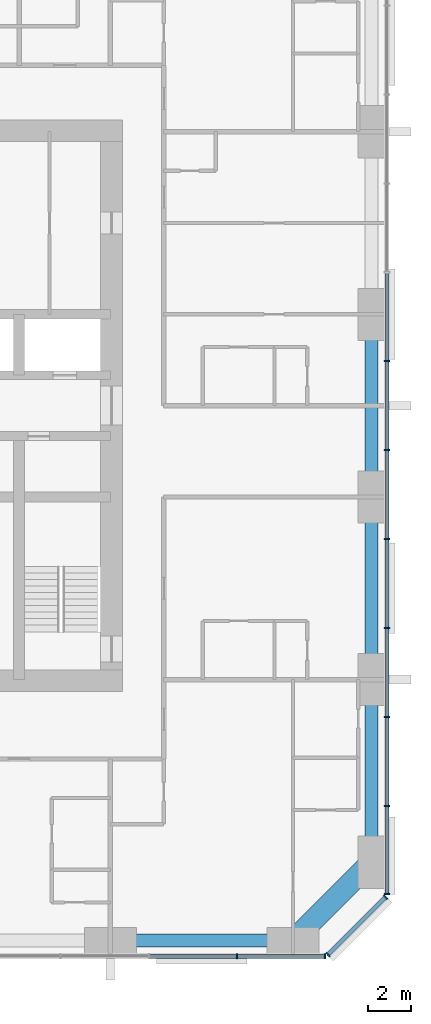
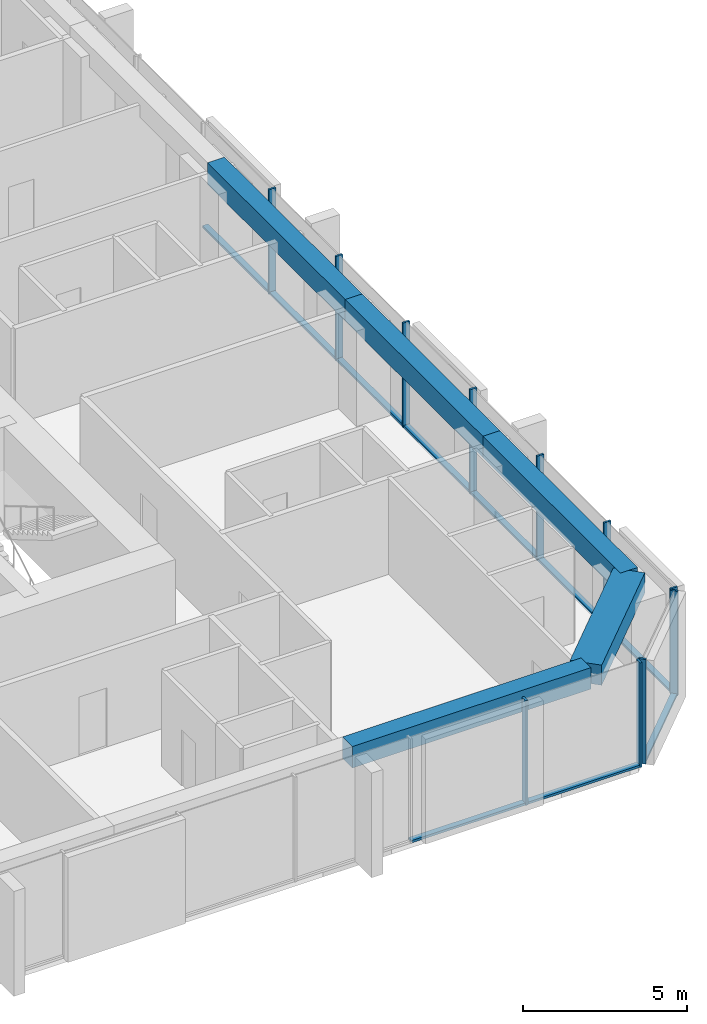
# One storey, part 3 of 12: 21 members, 5 beams, 3 elements without a shape of their own.
"""IFC4 building model written with IfcOpenShell, lengths in metres."""

from ifc_helpers import new_model, si_unit, direction, frame, origin, origin_2d, place, context, subcontext, project, spatial, rectangle, extrude, material, material_profile, profile_set, type_object, element, aggregate, save


model = new_model("IFC4")

# Units and contexts
model_context = context("Model", 3, precision=1e-05, world=origin(), true_north=direction((0.0, 1.0)))
body_context = subcontext(model_context, "Body", "Model", "MODEL_VIEW")
ifc_project = project(units=[si_unit("LENGTHUNIT", "METRE"), si_unit("AREAUNIT", "SQUARE_METRE"), si_unit("VOLUMEUNIT", "CUBIC_METRE"), si_unit("PLANEANGLEUNIT", "RADIAN"), si_unit("MASSUNIT", "GRAM", prefix="KILO")], contexts=[model_context])

# Site, building, storey
site_placement = place(None, origin())
site = spatial("IfcSite", under=ifc_project, at=site_placement, CompositionType="ELEMENT")
building_placement = place(site_placement, origin())
building = spatial("IfcBuilding", under=site, at=building_placement, Name="Dunama Terrace Hotel", CompositionType="ELEMENT")
storey_placement = place(building_placement, frame((0.0, 0.0, 229.5)))
storey = spatial("IfcBuildingStorey", under=building, at=storey_placement, Name="L59", CompositionType="ELEMENT", Elevation=229.5)

# Curtain wall, members
ifc_material_1 = material(Name="Aluminium curtain wall system", Category="aluminium")
curtain_wall_type = type_object("IfcCurtainWallType", Name="Unitised fritted glass wall CW-D", PredefinedType="NOTDEFINED", material=ifc_material_1)
curtain_wall_1_placement = place(storey_placement, origin())
curtain_wall_1 = element("IfcCurtainWall", 1, at=curtain_wall_1_placement, inside=storey, type_object=curtain_wall_type, Name="Unitised fritted glass wall CW-D L59", PredefinedType="NOTDEFINED")
ifc_material_2 = material(Name="Aluminium mullion", Category="aluminium")
ifc_material_profile_1 = material_profile(ifc_material_2, rectangle(XDim=0.070068359375, YDim=0.239990234375, at=origin_2d()), Name="CWD MULLION 70X240")
ifc_profile_set_1 = profile_set([ifc_material_profile_1], Name="Aluminium mullion")
member_type_1 = type_object("IfcMemberType", Name="CWD mullion 70x240", PredefinedType="MULLION", material=ifc_profile_set_1)
member_1_placement = place(storey_placement, frame((47.8330078125, 4.080078125, 0.0), z_axis=(0.0, 0.0, 1.0), x_axis=(1.0, 0.0, 0.0)))
member_1 = element("IfcMember", 2, at=member_1_placement, type_object=member_type_1, Name="CWD mullion", PredefinedType="MULLION", context=body_context, shape_type="SweptSolid", body=[
    extrude(rectangle(XDim=0.070068359375, YDim=0.239990234375, at=origin_2d()), origin(), (0.0, 0.0, 1.0), 3.89990234375),
])
member_2_placement = place(storey_placement, frame((51.864990234375, 4.080078125, 0.0), z_axis=(0.0, 0.0, 1.0), x_axis=(1.0, 0.0, 0.0)))
member_2 = element("IfcMember", 3, at=member_2_placement, type_object=member_type_1, Name="CWD mullion", PredefinedType="MULLION", context=body_context, shape_type="SweptSolid", body=[
    extrude(rectangle(XDim=0.070068359375, YDim=0.239990234375, at=origin_2d()), origin(), (0.0, 0.0, 1.0), 3.89990234375),
])

curtain_wall_2_placement = place(storey_placement, origin())
curtain_wall_2 = element("IfcCurtainWall", 4, at=curtain_wall_2_placement, inside=storey, type_object=curtain_wall_type, Name="Unitised fritted glass wall CW-D L59", PredefinedType="NOTDEFINED")
member_3_placement = place(storey_placement, frame((52.010009765625, 4.139892578125, 0.0), z_axis=(0.0, 0.0, 1.0), x_axis=(0.707106781187, 0.707106781187, 0.0)))
member_3 = element("IfcMember", 5, at=member_3_placement, type_object=member_type_1, Name="CWD mullion", PredefinedType="MULLION", context=body_context, shape_type="SweptSolid", body=[
    extrude(rectangle(XDim=0.070068359375, YDim=0.239990234375, at=origin_2d()), origin(), (0.0, 0.0, 1.0), 3.89990234375),
])
member_4_placement = place(storey_placement, frame((54.659912109375, 6.7900390625, 0.0), z_axis=(0.0, 0.0, 1.0), x_axis=(0.707106781187, 0.707106781187, 0.0)))
member_4 = element("IfcMember", 6, at=member_4_placement, type_object=member_type_1, Name="CWD mullion", PredefinedType="MULLION", context=body_context, shape_type="SweptSolid", body=[
    extrude(rectangle(XDim=0.070068359375, YDim=0.239990234375, at=origin_2d()), origin(), (0.0, 0.0, 1.0), 3.89990234375),
])

curtain_wall_3_placement = place(storey_placement, origin())
curtain_wall_3 = element("IfcCurtainWall", 7, at=curtain_wall_3_placement, inside=storey, type_object=curtain_wall_type, Name="Unitised fritted glass wall CW-D L59", PredefinedType="NOTDEFINED")
member_5_placement = place(storey_placement, frame((54.719970703125, 6.93505859375, 0.0), z_axis=(0.0, 0.0, 1.0), x_axis=(0.0, 1.0, 0.0)))
member_5 = element("IfcMember", 8, at=member_5_placement, type_object=member_type_1, Name="CWD mullion", PredefinedType="MULLION", context=body_context, shape_type="SweptSolid", body=[
    extrude(rectangle(XDim=0.070068359375, YDim=0.239990234375, at=origin_2d()), origin(), (0.0, 0.0, 1.0), 3.89990234375),
])
member_6_placement = place(storey_placement, frame((54.719970703125, 10.990966796875, 0.0), z_axis=(0.0, 0.0, 1.0), x_axis=(0.0, 1.0, 0.0)))
member_6 = element("IfcMember", 9, at=member_6_placement, type_object=member_type_1, Name="CWD mullion", PredefinedType="MULLION", context=body_context, shape_type="SweptSolid", body=[
    extrude(rectangle(XDim=0.070068359375, YDim=0.239990234375, at=origin_2d()), origin(), (0.0, 0.0, 1.0), 3.89990234375),
])
member_7_placement = place(storey_placement, frame((54.719970703125, 15.08203125, 0.0), z_axis=(0.0, 0.0, 1.0), x_axis=(0.0, 1.0, 0.0)))
member_7 = element("IfcMember", 10, at=member_7_placement, type_object=member_type_1, Name="CWD mullion", PredefinedType="MULLION", context=body_context, shape_type="SweptSolid", body=[
    extrude(rectangle(XDim=0.070068359375, YDim=0.239990234375, at=origin_2d()), origin(), (0.0, 0.0, 1.0), 3.89990234375),
])
member_8_placement = place(storey_placement, frame((54.719970703125, 19.173095703125, 0.0), z_axis=(0.0, 0.0, 1.0), x_axis=(0.0, 1.0, 0.0)))
member_8 = element("IfcMember", 11, at=member_8_placement, type_object=member_type_1, Name="CWD mullion", PredefinedType="MULLION", context=body_context, shape_type="SweptSolid", body=[
    extrude(rectangle(XDim=0.070068359375, YDim=0.239990234375, at=origin_2d()), origin(), (0.0, 0.0, 1.0), 3.89990234375),
])
member_9_placement = place(storey_placement, frame((54.719970703125, 23.263916015625, 0.0), z_axis=(0.0, 0.0, 1.0), x_axis=(0.0, 1.0, 0.0)))
member_9 = element("IfcMember", 12, at=member_9_placement, type_object=member_type_1, Name="CWD mullion", PredefinedType="MULLION", context=body_context, shape_type="SweptSolid", body=[
    extrude(rectangle(XDim=0.070068359375, YDim=0.239990234375, at=origin_2d()), origin(), (0.0, 0.0, 1.0), 3.89990234375),
])
member_10_placement = place(storey_placement, frame((54.719970703125, 27.35498046875, 0.0), z_axis=(0.0, 0.0, 1.0), x_axis=(0.0, 1.0, 0.0)))
member_10 = element("IfcMember", 13, at=member_10_placement, type_object=member_type_1, Name="CWD mullion", PredefinedType="MULLION", context=body_context, shape_type="SweptSolid", body=[
    extrude(rectangle(XDim=0.070068359375, YDim=0.239990234375, at=origin_2d()), origin(), (0.0, 0.0, 1.0), 3.89990234375),
])
member_11_placement = place(storey_placement, frame((54.719970703125, 31.445068359375, 0.0), z_axis=(0.0, 0.0, 1.0), x_axis=(0.0, 1.0, 0.0)))
member_11 = element("IfcMember", 14, at=member_11_placement, type_object=member_type_1, Name="CWD mullion", PredefinedType="MULLION", context=body_context, shape_type="SweptSolid", body=[
    extrude(rectangle(XDim=0.070068359375, YDim=0.239990234375, at=origin_2d()), origin(), (0.0, 0.0, 1.0), 3.89990234375),
])

# Member
ifc_material_3 = material(Name="Aluminium transom", Category="aluminium")
ifc_material_profile_2 = material_profile(ifc_material_3, rectangle(XDim=0.199951171875, YDim=0.0849609375, at=origin_2d()), Name="CWD TRANSOM 200X85")
ifc_profile_set_2 = profile_set([ifc_material_profile_2], Name="Aluminium transom")
member_type_2 = type_object("IfcMemberType", Name="CWD transom 200x85", PredefinedType="USERDEFINED", material=ifc_profile_set_2)
member_12_placement = place(storey_placement, frame((43.802001953125, 4.080078125, 0.04248046875), z_axis=(1.0, 0.0, 0.0), x_axis=(0.0, 1.0, 0.0)))
member_12 = element("IfcMember", 15, at=member_12_placement, type_object=member_type_2, Name="CWD transom", ObjectType="TRANSOM", PredefinedType="USERDEFINED", context=body_context, shape_type="SweptSolid", body=[
    extrude(rectangle(XDim=0.199951171875, YDim=0.0849609375, at=origin_2d()), origin(), (0.0, 0.0, 1.0), 3.99609375),
])

member_13_placement = place(storey_placement, frame((47.867919921875, 4.080078125, 0.04248046875), z_axis=(1.0, 0.0, 0.0), x_axis=(0.0, 1.0, 0.0)))
member_13 = element("IfcMember", 16, at=member_13_placement, type_object=member_type_2, Name="CWD transom", ObjectType="TRANSOM", PredefinedType="USERDEFINED", context=body_context, shape_type="SweptSolid", body=[
    extrude(rectangle(XDim=0.199951171875, YDim=0.0849609375, at=origin_2d()), origin(), (0.0, 0.0, 1.0), 3.962158203125),
])

aggregate(curtain_wall_1, [member_1, member_2, member_12, member_13])

member_14_placement = place(storey_placement, frame((52.033935546875, 4.1650390625, 0.04248046875), z_axis=(0.707106781187, 0.707106781187, 0.0), x_axis=(-0.707106781187, 0.707106781187, 0.0)))
member_14 = element("IfcMember", 17, at=member_14_placement, type_object=member_type_2, Name="CWD transom", ObjectType="TRANSOM", PredefinedType="USERDEFINED", context=body_context, shape_type="SweptSolid", body=[
    extrude(rectangle(XDim=0.199951171875, YDim=0.0849609375, at=origin_2d()), origin(), (0.0, 0.0, 1.0), 3.678466796875),
])

aggregate(curtain_wall_2, [member_3, member_4, member_14])

member_15_placement = place(storey_placement, frame((54.719970703125, 6.969970703125, 0.04248046875), z_axis=(0.0, 1.0, 0.0), x_axis=(-1.0, 0.0, 0.0)))
member_15 = element("IfcMember", 18, at=member_15_placement, type_object=member_type_2, Name="CWD transom", ObjectType="TRANSOM", PredefinedType="USERDEFINED", context=body_context, shape_type="SweptSolid", body=[
    extrude(rectangle(XDim=0.199951171875, YDim=0.0849609375, at=origin_2d()), origin(), (0.0, 0.0, 1.0), 3.986083984375),
])

member_16_placement = place(storey_placement, frame((54.719970703125, 11.02587890625, 0.04248046875), z_axis=(0.0, 1.0, 0.0), x_axis=(-1.0, 0.0, 0.0)))
member_16 = element("IfcMember", 19, at=member_16_placement, type_object=member_type_2, Name="CWD transom", ObjectType="TRANSOM", PredefinedType="USERDEFINED", context=body_context, shape_type="SweptSolid", body=[
    extrude(rectangle(XDim=0.199951171875, YDim=0.0849609375, at=origin_2d()), origin(), (0.0, 0.0, 1.0), 4.021240234375),
])

member_17_placement = place(storey_placement, frame((54.719970703125, 15.116943359375, 0.04248046875), z_axis=(0.0, 1.0, 0.0), x_axis=(-1.0, 0.0, 0.0)))
member_17 = element("IfcMember", 20, at=member_17_placement, type_object=member_type_2, Name="CWD transom", ObjectType="TRANSOM", PredefinedType="USERDEFINED", context=body_context, shape_type="SweptSolid", body=[
    extrude(rectangle(XDim=0.199951171875, YDim=0.0849609375, at=origin_2d()), origin(), (0.0, 0.0, 1.0), 4.02099609375),
])

member_18_placement = place(storey_placement, frame((54.719970703125, 19.2080078125, 0.04248046875), z_axis=(0.0, 1.0, 0.0), x_axis=(-1.0, 0.0, 0.0)))
member_18 = element("IfcMember", 21, at=member_18_placement, type_object=member_type_2, Name="CWD transom", ObjectType="TRANSOM", PredefinedType="USERDEFINED", context=body_context, shape_type="SweptSolid", body=[
    extrude(rectangle(XDim=0.199951171875, YDim=0.0849609375, at=origin_2d()), origin(), (0.0, 0.0, 1.0), 4.02099609375),
])

member_19_placement = place(storey_placement, frame((54.719970703125, 23.299072265625, 0.04248046875), z_axis=(0.0, 1.0, 0.0), x_axis=(-1.0, 0.0, 0.0)))
member_19 = element("IfcMember", 22, at=member_19_placement, type_object=member_type_2, Name="CWD transom", ObjectType="TRANSOM", PredefinedType="USERDEFINED", context=body_context, shape_type="SweptSolid", body=[
    extrude(rectangle(XDim=0.199951171875, YDim=0.0849609375, at=origin_2d()), origin(), (0.0, 0.0, 1.0), 4.02099609375),
])

member_20_placement = place(storey_placement, frame((54.719970703125, 27.389892578125, 0.04248046875), z_axis=(0.0, 1.0, 0.0), x_axis=(-1.0, 0.0, 0.0)))
member_20 = element("IfcMember", 23, at=member_20_placement, type_object=member_type_2, Name="CWD transom", ObjectType="TRANSOM", PredefinedType="USERDEFINED", context=body_context, shape_type="SweptSolid", body=[
    extrude(rectangle(XDim=0.199951171875, YDim=0.0849609375, at=origin_2d()), origin(), (0.0, 0.0, 1.0), 4.02001953125),
])

member_21_placement = place(storey_placement, frame((54.719970703125, 31.47998046875, 0.04248046875), z_axis=(0.0, 1.0, 0.0), x_axis=(-1.0, 0.0, 0.0)))
member_21 = element("IfcMember", 24, at=member_21_placement, type_object=member_type_2, Name="CWD transom", ObjectType="TRANSOM", PredefinedType="USERDEFINED", context=body_context, shape_type="SweptSolid", body=[
    extrude(rectangle(XDim=0.199951171875, YDim=0.0849609375, at=origin_2d()), origin(), (0.0, 0.0, 1.0), 4.02099609375),
])

aggregate(curtain_wall_3, [member_5, member_6, member_7, member_8, member_9, member_10, member_11, member_15, member_16, member_17, member_18, member_19, member_20, member_21])

# Beams
ifc_material_4 = material(Name="Concrete C50/60", Category="concrete")
ifc_material_profile_3 = material_profile(ifc_material_4, rectangle(XDim=1.0, YDim=0.75, at=origin_2d()), Name="RC 1000x750")
ifc_profile_set_3 = profile_set([ifc_material_profile_3], Name="Concrete C50/60")
beam_type_1 = type_object("IfcBeamType", Name="Edge beam RC 1000x750", PredefinedType="SPANDREL", material=ifc_profile_set_3)
beam_1_placement = place(storey_placement, frame((50.39990234375, 4.800048828125, 3.52490234375), z_axis=(0.707130757816, 0.707082803744, 0.0), x_axis=(-0.707082803744, 0.707130757816, 0.0)))
element("IfcBeam", 25, at=beam_1_placement, inside=storey, type_object=beam_type_1, Name="Corner edge beam under L60", PredefinedType="SPANDREL", context=body_context, shape_type="SweptSolid", body=[
    extrude(rectangle(XDim=1.0, YDim=0.75, at=origin_2d()), origin(), (0.0, 0.0, 1.0), 5.091064453125),
])
ifc_material_5 = material(Name="Concrete C40/50", Category="concrete")
ifc_material_profile_4 = material_profile(ifc_material_5, rectangle(XDim=0.60009765625, YDim=0.800048828125, at=origin_2d()), Name="RC 600x800")
ifc_profile_set_4 = profile_set([ifc_material_profile_4], Name="Concrete C40/50")
beam_type_2 = type_object("IfcBeamType", Name="Edge beam RC 600x800", PredefinedType="SPANDREL", material=ifc_profile_set_4)
beam_2_placement = place(storey_placement, frame((54.0, 8.39990234375, 3.5), z_axis=(0.0, 1.0, 0.0), x_axis=(-1.0, 0.0, 0.0)))
element("IfcBeam", 26, at=beam_2_placement, inside=storey, type_object=beam_type_2, Name="Edge beam under L60", PredefinedType="SPANDREL", context=body_context, shape_type="SweptSolid", body=[
    extrude(rectangle(XDim=0.60009765625, YDim=0.800048828125, at=origin_2d()), origin(), (0.0, 0.0, 1.0), 8.400146484375),
])
beam_3_placement = place(storey_placement, frame((54.0, 16.800048828125, 3.5), z_axis=(0.0, 1.0, 0.0), x_axis=(-1.0, 0.0, 0.0)))
element("IfcBeam", 27, at=beam_3_placement, inside=storey, type_object=beam_type_2, Name="Edge beam under L60", PredefinedType="SPANDREL", context=body_context, shape_type="SweptSolid", body=[
    extrude(rectangle(XDim=0.60009765625, YDim=0.800048828125, at=origin_2d()), origin(), (0.0, 0.0, 1.0), 8.39990234375),
])
beam_4_placement = place(storey_placement, frame((54.0, 25.199951171875, 3.5), z_axis=(0.0, 1.0, 0.0), x_axis=(-1.0, 0.0, 0.0)))
element("IfcBeam", 28, at=beam_4_placement, inside=storey, type_object=beam_type_2, Name="Edge beam under L60", PredefinedType="SPANDREL", context=body_context, shape_type="SweptSolid", body=[
    extrude(rectangle(XDim=0.60009765625, YDim=0.800048828125, at=origin_2d()), origin(), (0.0, 0.0, 1.0), 8.400146484375),
])
beam_5_placement = place(storey_placement, frame((42.0, 4.800048828125, 3.5), z_axis=(1.0, 0.0, 0.0), x_axis=(0.0, 1.0, 0.0)))
element("IfcBeam", 29, at=beam_5_placement, inside=storey, type_object=beam_type_2, Name="Edge beam under L60", PredefinedType="SPANDREL", context=body_context, shape_type="SweptSolid", body=[
    extrude(rectangle(XDim=0.60009765625, YDim=0.800048828125, at=origin_2d()), origin(), (0.0, 0.0, 1.0), 8.39990234375),
])

save(model, "model.ifc")
